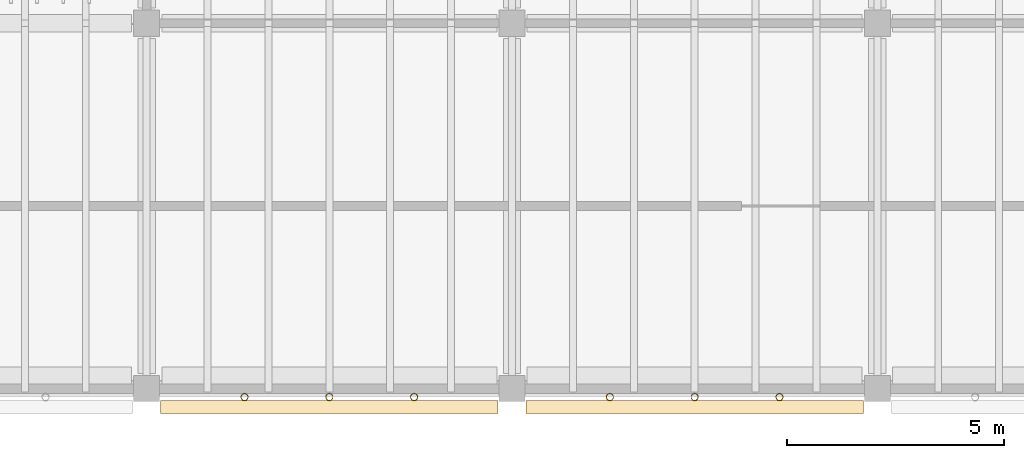
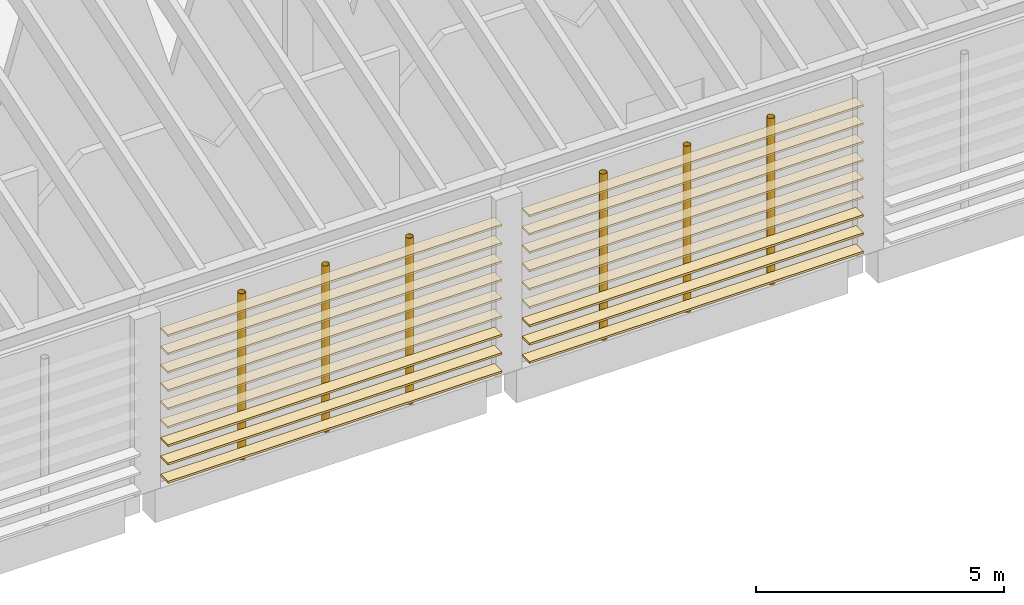
# One storey, part 37 of 59: 18 coverings, 6 shading devices.
"""IFC4 building model written with IfcOpenShell, lengths in metres."""

import ifcopenshell
import ifcopenshell.guid

model = None  # the IFC model being written
_history = None  # IfcOwnerHistory: only IFC2X3 demands one
_inside = {}  # id of a spatial element -> (the spatial element, [elements in it])
_under = {}  # id of a project, library or spatial element -> (it, [spatial elements below it])
_declared = {}  # id of a project -> (the project, [libraries it declares])
_typed = {}  # id of a type object -> (the type object, [elements of that type])
_made_of = {}  # id of a material, layer set ... -> (it, [elements and type objects made of it])


def new_model(schema):
    """Start an empty IFC model of exactly this schema.

    Asked for "IFC4X3", IfcOpenShell would pick the latest addendum, in which some entities
    have other attributes; the version numbers below select the first issue.
    IFC2X3 requires an IfcOwnerHistory on every rooted entity: one is made here for all.
    """
    global model, _history
    if schema == "IFC4X3":
        model = ifcopenshell.file(schema_version=(4, 3, 0, 0))
    else:
        model = ifcopenshell.file(schema=schema)
    _inside.clear()
    _under.clear()
    _declared.clear()
    _typed.clear()
    _made_of.clear()
    _history = None
    if model.schema == "IFC2X3":
        org = make("IfcOrganization", Name="unknown")
        user = make(
            "IfcPersonAndOrganization",
            ThePerson=make("IfcPerson", FamilyName="unknown"),
            TheOrganization=org,
        )
        app = make(
            "IfcApplication",
            ApplicationDeveloper=org,
            Version="unknown",
            ApplicationFullName="unknown",
            ApplicationIdentifier="unknown",
        )
        _history = make(
            "IfcOwnerHistory",
            OwningUser=user,
            OwningApplication=app,
            ChangeAction="ADDED",
            CreationDate=0,
        )
    return model


def make(cls, **values):
    """One entity of the class cls with the attributes given. An attribute that is None is left unset."""
    return model.create_entity(
        cls, **{name: value for name, value in values.items() if value is not None}
    )


def rooted(cls, **values):
    """An entity with a GlobalId (a new one), such as an element, a storey or a relation."""
    return make(cls, GlobalId=ifcopenshell.guid.new(), OwnerHistory=_history, **values)


def si_unit(unit_type, name, prefix=None):
    """IfcSIUnit, for example si_unit("LENGTHUNIT", "METRE", prefix="MILLI")."""
    return make("IfcSIUnit", UnitType=unit_type, Prefix=prefix, Name=name)


def assignment(units):
    """IfcUnitAssignment: the units of a project."""
    return None if units is None else make("IfcUnitAssignment", Units=units)


def point(xyz):
    """IfcCartesianPoint."""
    return None if xyz is None else make("IfcCartesianPoint", Coordinates=xyz)


def direction(xyz):
    """IfcDirection."""
    return None if xyz is None else make("IfcDirection", DirectionRatios=xyz)


def frame(location, z_axis=None, x_axis=None):
    """IfcAxis2Placement3D, a coordinate frame: its origin and axes. An axis left out is left unset."""
    return make(
        "IfcAxis2Placement3D",
        Location=point(location),
        Axis=direction(z_axis),
        RefDirection=direction(x_axis),
    )


def frame_2d(location, x_axis=None):
    """IfcAxis2Placement2D, a coordinate frame in the plane: its origin and x axis."""
    return make(
        "IfcAxis2Placement2D", Location=point(location), RefDirection=direction(x_axis)
    )


def origin():
    """The frame at (0, 0, 0) with its axes left unset."""
    return frame((0.0, 0.0, 0.0))


def origin_2d():
    """The frame at (0, 0) in the plane with its x axis left unset."""
    return frame_2d((0.0, 0.0))


def place(relative_to, where):
    """IfcLocalPlacement: puts the frame where relative to a parent placement (None: the world)."""
    return make(
        "IfcLocalPlacement", PlacementRelTo=relative_to, RelativePlacement=where
    )


def context(
    kind, dimensions, precision=None, world=None, true_north=None, identifier=None
):
    """IfcGeometricRepresentationContext, for example the 3D "Model" context."""
    return make(
        "IfcGeometricRepresentationContext",
        ContextIdentifier=identifier,
        ContextType=kind,
        CoordinateSpaceDimension=dimensions,
        Precision=precision,
        WorldCoordinateSystem=world,
        TrueNorth=true_north,
    )


def subcontext(parent, identifier, kind, view, scale=None):
    """IfcGeometricRepresentationSubContext, for example "Body" below "Model"."""
    return make(
        "IfcGeometricRepresentationSubContext",
        ContextIdentifier=identifier,
        ContextType=kind,
        ParentContext=parent,
        TargetScale=scale,
        TargetView=view,
    )


def project(units=None, contexts=None):
    """IfcProject with its units and contexts."""
    return rooted(
        "IfcProject",
        Name="project",
        RepresentationContexts=contexts,
        UnitsInContext=assignment(units),
    )


def spatial(cls, under=None, at=None, **own):
    """A site, building, storey or space (cls), placed at a placement, below another one or the project."""
    s = rooted(cls, ObjectPlacement=at, **own)
    if under is not None:
        _under.setdefault(under.id(), (under, []))[1].append(s)
    return s


def profile(cls, at=None, kind="AREA", **sizes):
    """A parametric profile (cls). Its sizes go by their IFC names, for example OverallWidth=200.0."""
    return make(cls, ProfileType=kind, Position=at, **sizes)


def rectangle(**sizes):
    """IfcRectangleProfileDef."""
    return profile("IfcRectangleProfileDef", **sizes)


def hollow_circle(**sizes):
    """IfcCircleHollowProfileDef."""
    return profile("IfcCircleHollowProfileDef", **sizes)


def extrude(swept, where, along, depth):
    """IfcExtrudedAreaSolid: the profile swept, set in the frame where, extruded along a direction by depth."""
    return make(
        "IfcExtrudedAreaSolid",
        SweptArea=swept,
        Position=where,
        ExtrudedDirection=direction(along),
        Depth=depth,
    )


def shape(context_of_items, identifier, shape_type, items):
    """IfcShapeRepresentation: the items that make up one representation, for example the "Body"."""
    return make(
        "IfcShapeRepresentation",
        ContextOfItems=context_of_items,
        RepresentationIdentifier=identifier,
        RepresentationType=shape_type,
        Items=items,
    )


def material(Name=None, Category=None):
    """IfcMaterial."""
    return make("IfcMaterial", Name=Name, Category=Category)


def material_profile(
    of_material, cross_section, Name=None, Category=None, Priority=None
):
    """IfcMaterialProfile: a cross section and its material."""
    return make(
        "IfcMaterialProfile",
        Name=Name,
        Material=of_material,
        Profile=cross_section,
        Priority=Priority,
        Category=Category,
    )


def profile_set(profiles, Name=None, composite=None):
    """IfcMaterialProfileSet."""
    return make(
        "IfcMaterialProfileSet",
        Name=Name,
        MaterialProfiles=profiles,
        CompositeProfile=composite,
    )


def made_of(thing, what):
    """Note that an element or type object is made of a material, layer set ...; save() writes the relation."""
    if what is not None:
        _made_of.setdefault(what.id(), (what, []))[1].append(thing)
    return thing


def type_object(cls, material=None, **own):
    """A type object (cls), such as IfcWallType, which elements share."""
    return made_of(rooted(cls, **own), material)


def element(
    cls,
    number,
    at=None,
    inside=None,
    cuts=None,
    type_object=None,
    material=None,
    context=None,
    identifier="Body",
    shape_type=None,
    held_by="IfcProductDefinitionShape",
    body=None,
    shapes=None,
    **own,
):
    """One element of the class cls, such as IfcWall. Its Tag is "e" and its number.

    at: its placement. inside: the storey or other place that contains it. cuts: it is an
    opening in that element (IfcRelVoidsElement). A single representation is given by context,
    identifier, shape_type and body (its items); several are given by shapes. held_by: the class
    of the entity that holds the representations. save() writes the other relations.
    """
    e = rooted(cls, Tag="e%d" % number, ObjectPlacement=at, **own)
    if body is not None:
        shapes = [shape(context, identifier, shape_type, body)]
    if shapes is not None:
        e.Representation = make(held_by, Representations=shapes)
    if inside is not None:
        _inside.setdefault(inside.id(), (inside, []))[1].append(e)
    if cuts is not None:
        rooted(
            "IfcRelVoidsElement", RelatingBuildingElement=cuts, RelatedOpeningElement=e
        )
    if type_object is not None:
        _typed.setdefault(type_object.id(), (type_object, []))[1].append(e)
    return made_of(e, material)


def aggregate(whole, parts):
    """IfcRelAggregates: a whole, such as a stair, and the parts it consists of."""
    return rooted("IfcRelAggregates", RelatingObject=whole, RelatedObjects=parts)


def save(model, path):
    """Write the relations noted so far, then the file.

    IfcRelAggregates (storeys below a building ...), IfcRelContainedInSpatialStructure (elements
    in a storey), IfcRelDefinesByType, IfcRelAssociatesMaterial and IfcRelDeclares: one each for
    every whole, place, type object, material and project.
    """
    for whole, parts in _under.values():
        aggregate(whole, parts)
    for where, things in _inside.values():
        rooted(
            "IfcRelContainedInSpatialStructure",
            RelatedElements=things,
            RelatingStructure=where,
        )
    for kind, things in _typed.values():
        rooted("IfcRelDefinesByType", RelatedObjects=things, RelatingType=kind)
    for what, things in _made_of.values():
        rooted("IfcRelAssociatesMaterial", RelatedObjects=things, RelatingMaterial=what)
    for by, libraries in _declared.values():
        rooted("IfcRelDeclares", RelatingContext=by, RelatedDefinitions=libraries)
    model.write(path)


model = new_model("IFC4")

# Units and contexts
model_context = context("Model", 3, precision=1e-05, world=origin(), true_north=direction((0.0, 1.0)))
body_context = subcontext(model_context, "Body", "Model", "MODEL_VIEW")
ifc_project = project(units=[si_unit("LENGTHUNIT", "METRE"), si_unit("AREAUNIT", "SQUARE_METRE"), si_unit("VOLUMEUNIT", "CUBIC_METRE"), si_unit("PLANEANGLEUNIT", "RADIAN"), si_unit("MASSUNIT", "GRAM", prefix="KILO")], contexts=[model_context])

# Site, building, storey
site_placement = place(None, origin())
site = spatial("IfcSite", under=ifc_project, at=site_placement, CompositionType="ELEMENT")
building_placement = place(site_placement, origin())
building = spatial("IfcBuilding", under=site, at=building_placement, Name="Almond Square Museum", CompositionType="ELEMENT")
storey_placement = place(building_placement, frame((0.0, 0.0, 25.0)))
storey = spatial("IfcBuildingStorey", under=building, at=storey_placement, Name="L04", CompositionType="ELEMENT", Elevation=25.0)

# Shading devices
ifc_material_1 = material(Name="Structural steel S355", Category="steel")
ifc_material_profile_1 = material_profile(ifc_material_1, hollow_circle(Radius=0.084228515625, WallThickness=0.008056640625, at=origin_2d()))
ifc_profile_set_1 = profile_set([ifc_material_profile_1], Name="Structural steel S355")
shading_device_type = type_object("IfcShadingDeviceType", Name="Louvre post CHS 168.3 x 8", PredefinedType="USERDEFINED", material=ifc_profile_set_1)
for number, where, z_axis, x_axis, name in (
    (1, (25.050048828125, -0.194091796875, 0.0), (0.0, 0.0, 1.0), (1.0, 0.0, 0.0), "Louvre screen post"),
    (2, (27.0, -0.194091796875, 0.0), (0.0, 0.0, 1.0), (1.0, 0.0, 0.0), "Louvre screen post"),
    (3, (28.949951171875, -0.194091796875, 0.0), (0.0, 0.0, 1.0), (1.0, 0.0, 0.0), "Louvre screen post"),
    (4, (33.449951171875, -0.194091796875, 0.0), (0.0, 0.0, 1.0), (1.0, 0.0, 0.0), "Louvre screen post"),
    (5, (35.39990234375, -0.194091796875, 0.0), (0.0, 0.0, 1.0), (1.0, 0.0, 0.0), "Louvre screen post"),
    (6, (37.35009765625, -0.194091796875, 0.0), (0.0, 0.0, 1.0), (1.0, 0.0, 0.0), "Louvre screen post"),
):
    element("IfcShadingDevice", number, at=place(storey_placement, frame(where, z_axis=z_axis, x_axis=x_axis)), inside=storey, type_object=shading_device_type, Name=name, ObjectType="POST", PredefinedType="USERDEFINED", context=body_context, shape_type="SweptSolid", body=[
        extrude(hollow_circle(Radius=0.084228515625, WallThickness=0.008056640625, at=origin_2d()), origin(), (0.0, 0.0, 1.0), 4.08447265625),
    ])

# Coverings
ifc_material_2 = material(Name="Cedar timber louvre board", Category="wood")
ifc_material_profile_2 = material_profile(ifc_material_2, rectangle(XDim=0.300048828125, YDim=0.050048828125, at=origin_2d()))
ifc_profile_set_2 = profile_set([ifc_material_profile_2], Name="Cedar timber louvre board")
covering_type = type_object("IfcCoveringType", Name="Louvre screen board 300 x 50", PredefinedType="CLADDING", material=ifc_profile_set_2)
for number, where, z_axis, x_axis, name in (
    (7, (23.1201171875, -0.42431640625, 0.300048828125), (1.0, 0.0, 0.0), (0.0, 1.0, 0.0), "Louvre screen board"),
    (8, (23.1201171875, -0.42431640625, 0.75), (1.0, 0.0, 0.0), (0.0, 1.0, 0.0), "Louvre screen board"),
    (9, (23.1201171875, -0.42431640625, 1.199951171875), (1.0, 0.0, 0.0), (0.0, 1.0, 0.0), "Louvre screen board"),
    (10, (23.1201171875, -0.42431640625, 1.64990234375), (1.0, 0.0, 0.0), (0.0, 1.0, 0.0), "Louvre screen board"),
    (11, (23.1201171875, -0.42431640625, 2.10009765625), (1.0, 0.0, 0.0), (0.0, 1.0, 0.0), "Louvre screen board"),
    (12, (23.1201171875, -0.42431640625, 2.550048828125), (1.0, 0.0, 0.0), (0.0, 1.0, 0.0), "Louvre screen board"),
    (13, (23.1201171875, -0.42431640625, 3.0), (1.0, 0.0, 0.0), (0.0, 1.0, 0.0), "Louvre screen board"),
    (14, (23.1201171875, -0.42431640625, 3.449951171875), (1.0, 0.0, 0.0), (0.0, 1.0, 0.0), "Louvre screen board"),
    (15, (23.1201171875, -0.42431640625, 3.89990234375), (1.0, 0.0, 0.0), (0.0, 1.0, 0.0), "Louvre screen board"),
):
    element("IfcCovering", number, at=place(storey_placement, frame(where, z_axis=z_axis, x_axis=x_axis)), inside=storey, type_object=covering_type, Name=name, PredefinedType="CLADDING", context=body_context, shape_type="SweptSolid", body=[
        extrude(rectangle(XDim=0.300048828125, YDim=0.050048828125, at=origin_2d()), origin(), (0.0, 0.0, 1.0), 7.759765625),
    ])
for number, where, z_axis, x_axis, name in (
    (16, (31.52001953125, -0.42431640625, 0.300048828125), (1.0, 0.0, 0.0), (0.0, 1.0, 0.0), "Louvre screen board"),
    (17, (31.52001953125, -0.42431640625, 0.75), (1.0, 0.0, 0.0), (0.0, 1.0, 0.0), "Louvre screen board"),
    (18, (31.52001953125, -0.42431640625, 1.199951171875), (1.0, 0.0, 0.0), (0.0, 1.0, 0.0), "Louvre screen board"),
    (19, (31.52001953125, -0.42431640625, 1.64990234375), (1.0, 0.0, 0.0), (0.0, 1.0, 0.0), "Louvre screen board"),
    (20, (31.52001953125, -0.42431640625, 2.10009765625), (1.0, 0.0, 0.0), (0.0, 1.0, 0.0), "Louvre screen board"),
    (21, (31.52001953125, -0.42431640625, 2.550048828125), (1.0, 0.0, 0.0), (0.0, 1.0, 0.0), "Louvre screen board"),
    (22, (31.52001953125, -0.42431640625, 3.0), (1.0, 0.0, 0.0), (0.0, 1.0, 0.0), "Louvre screen board"),
    (23, (31.52001953125, -0.42431640625, 3.449951171875), (1.0, 0.0, 0.0), (0.0, 1.0, 0.0), "Louvre screen board"),
    (24, (31.52001953125, -0.42431640625, 3.89990234375), (1.0, 0.0, 0.0), (0.0, 1.0, 0.0), "Louvre screen board"),
):
    element("IfcCovering", number, at=place(storey_placement, frame(where, z_axis=z_axis, x_axis=x_axis)), inside=storey, type_object=covering_type, Name=name, PredefinedType="CLADDING", context=body_context, shape_type="SweptSolid", body=[
        extrude(rectangle(XDim=0.300048828125, YDim=0.050048828125, at=origin_2d()), origin(), (0.0, 0.0, 1.0), 7.760009765625),
    ])

save(model, "model.ifc")
